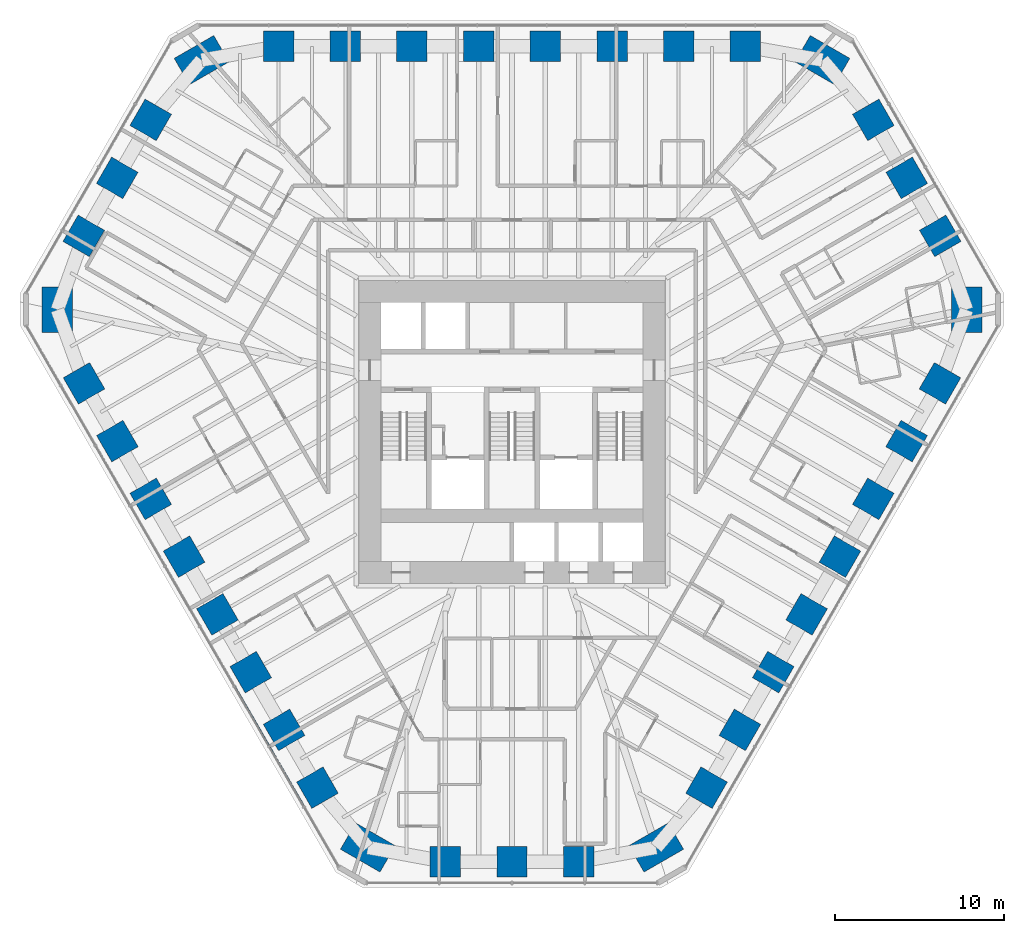
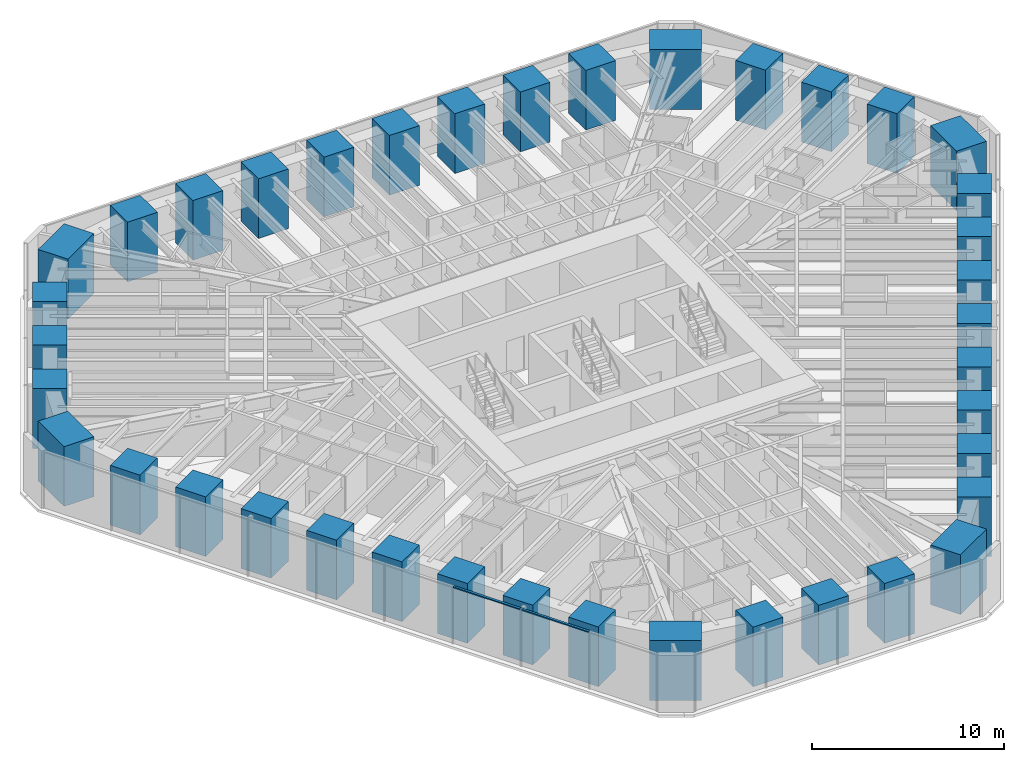
# One storey, part 1 of 17: 39 columns, 2 members, 1 element without a shape of its own.
"""IFC4 building model written with IfcOpenShell, lengths in metres."""

from ifc_helpers import new_model, si_unit, direction, frame, origin, origin_2d, place, context, subcontext, project, spatial, rectangle, extrude, material, material_profile, profile_set, type_object, element, aggregate, save


model = new_model("IFC4")

# Units and contexts
model_context = context("Model", 3, precision=1e-05, world=origin(), true_north=direction((0.0, 1.0)))
body_context = subcontext(model_context, "Body", "Model", "MODEL_VIEW")
ifc_project = project(units=[si_unit("LENGTHUNIT", "METRE"), si_unit("AREAUNIT", "SQUARE_METRE"), si_unit("VOLUMEUNIT", "CUBIC_METRE"), si_unit("PLANEANGLEUNIT", "RADIAN"), si_unit("MASSUNIT", "GRAM", prefix="KILO")], contexts=[model_context])

# Site, building, storey
site_placement = place(None, origin())
site = spatial("IfcSite", under=ifc_project, at=site_placement, CompositionType="ELEMENT")
building_placement = place(site_placement, origin())
building = spatial("IfcBuilding", under=site, at=building_placement, Name="Sandreach Pilgrim Tower", CompositionType="ELEMENT")
storey_placement = place(building_placement, frame((0.0, 0.0, 123.39990234375)))
storey = spatial("IfcBuildingStorey", under=building, at=storey_placement, Name="L30", CompositionType="ELEMENT", Elevation=123.39990234375)

# Columns
ifc_material_1 = material(Name="Concrete 10000 psi", Category="concrete")
ifc_material_profile_1 = material_profile(ifc_material_1, rectangle(XDim=1.800048828125, YDim=1.800048828125, at=origin_2d()), Name="RC1800X1800")
ifc_profile_set_1 = profile_set([ifc_material_profile_1], Name="Concrete 10000 psi")
column_type_1 = type_object("IfcColumnType", Name="Tube column RC1800X1800", PredefinedType="COLUMN", material=ifc_profile_set_1)
for number, where, z_axis, x_axis, name in (
    (1, (-13.789794921875, 21.23388671875, 0.0), (0.0, 0.0, 1.0), (0.0, 1.0, 0.0), "COL L30 T01"),
    (2, (-9.849853515625, 21.23388671875, 0.0), (0.0, 0.0, 1.0), (0.0, 1.0, 0.0), "COL L30 T02"),
    (3, (-5.909912109375, 21.23388671875, 0.0), (0.0, 0.0, 1.0), (0.0, 1.0, 0.0), "COL L30 T03"),
    (4, (-1.969970703125, 21.23388671875, 0.0), (0.0, 0.0, 1.0), (0.0, 1.0, 0.0), "COL L30 T04"),
    (5, (1.969970703125, 21.23388671875, 0.0), (0.0, 0.0, 1.0), (0.0, 1.0, 0.0), "COL L30 T05"),
    (6, (5.909912109375, 21.23388671875, 0.0), (0.0, 0.0, 1.0), (0.0, 1.0, 0.0), "COL L30 T06"),
    (7, (9.849853515625, 21.23388671875, 0.0), (0.0, 0.0, 1.0), (0.0, 1.0, 0.0), "COL L30 T07"),
    (8, (13.789794921875, 21.23388671875, 0.0), (0.0, 0.0, 1.0), (0.0, 1.0, 0.0), "COL L30 T08"),
    (9, (21.346435546875, 16.891357421875, 0.0), (0.0, 0.0, 1.0), (0.866025403784, 0.5, 0.0), "COL L30 T10"),
    (10, (23.323974609375, 13.466064453125, 0.0), (0.0, 0.0, 1.0), (0.866025403784, 0.5, 0.0), "COL L30 T11"),
    (11, (25.301513671875, 10.040771484375, 0.0), (0.0, 0.0, 1.0), (0.866025403784, 0.5, 0.0), "COL L30 T12"),
    (12, (25.283935546875, 1.325439453125, 0.0), (0.0, 0.0, 1.0), (0.866025403784, -0.5, 0.0), "COL L30 T14"),
    (13, (23.31396484375, -2.086669921875, 0.0), (0.0, 0.0, 1.0), (0.866025403784, -0.5, 0.0), "COL L30 T15"),
    (14, (21.343994140625, -5.498779296875, 0.0), (0.0, 0.0, 1.0), (0.866025403784, -0.5, 0.0), "COL L30 T16"),
    (15, (19.3740234375, -8.910888671875, 0.0), (0.0, 0.0, 1.0), (0.866025403784, -0.5, 0.0), "COL L30 T17"),
    (16, (17.404052734375, -12.322998046875, 0.0), (0.0, 0.0, 1.0), (0.866025403784, -0.5, 0.0), "COL L30 T18"),
    (17, (15.43408203125, -15.735107421875, 0.0), (0.0, 0.0, 1.0), (0.866025403784, -0.5, 0.0), "COL L30 T19"),
    (18, (13.464111328125, -19.147216796875, 0.0), (0.0, 0.0, 1.0), (0.866025403784, -0.5, 0.0), "COL L30 T20"),
    (19, (11.494140625, -22.559326171875, 0.0), (0.0, 0.0, 1.0), (0.866025403784, -0.5, 0.0), "COL L30 T21"),
    (20, (3.955322265625, -26.93212890625, 0.0), (0.0, 0.0, 1.0), (0.0, -1.0, 0.0), "COL L30 T23"),
    (21, (0.0, -26.93212890625, 0.0), (0.0, 0.0, 1.0), (0.0, -1.0, 0.0), "COL L30 T24"),
    (22, (-3.955322265625, -26.93212890625, 0.0), (0.0, 0.0, 1.0), (0.0, -1.0, 0.0), "COL L30 T25"),
    (23, (-11.494140625, -22.559326171875, 0.0), (0.0, 0.0, 1.0), (-0.866025403784, -0.5, 0.0), "COL L30 T27"),
    (24, (-13.464111328125, -19.147216796875, 0.0), (0.0, 0.0, 1.0), (-0.866025403784, -0.5, 0.0), "COL L30 T28"),
    (25, (-15.43408203125, -15.735107421875, 0.0), (0.0, 0.0, 1.0), (-0.866025403784, -0.5, 0.0), "COL L30 T29"),
    (26, (-17.404052734375, -12.322998046875, 0.0), (0.0, 0.0, 1.0), (-0.866025403784, -0.5, 0.0), "COL L30 T30"),
    (27, (-19.3740234375, -8.910888671875, 0.0), (0.0, 0.0, 1.0), (-0.866025403784, -0.5, 0.0), "COL L30 T31"),
    (28, (-21.343994140625, -5.498779296875, 0.0), (0.0, 0.0, 1.0), (-0.866025403784, -0.5, 0.0), "COL L30 T32"),
    (29, (-23.31396484375, -2.086669921875, 0.0), (0.0, 0.0, 1.0), (-0.866025403784, -0.5, 0.0), "COL L30 T33"),
    (30, (-25.283935546875, 1.325439453125, 0.0), (0.0, 0.0, 1.0), (-0.866025403784, -0.5, 0.0), "COL L30 T34"),
    (31, (-25.301513671875, 10.040771484375, 0.0), (0.0, 0.0, 1.0), (-0.866025403784, 0.5, 0.0), "COL L30 T36"),
    (32, (-23.323974609375, 13.466064453125, 0.0), (0.0, 0.0, 1.0), (-0.866025403784, 0.5, 0.0), "COL L30 T37"),
    (33, (-21.346435546875, 16.891357421875, 0.0), (0.0, 0.0, 1.0), (-0.866025403784, 0.5, 0.0), "COL L30 T38"),
):
    element("IfcColumn", number, at=place(storey_placement, frame(where, z_axis=z_axis, x_axis=x_axis)), inside=storey, type_object=column_type_1, Name=name, PredefinedType="COLUMN", context=body_context, shape_type="SweptSolid", body=[
        extrude(rectangle(XDim=1.800048828125, YDim=1.800048828125, at=origin_2d()), origin(), (0.0, 0.0, 1.0), 3.800048828125),
    ])
ifc_material_2 = material(Name="Concrete 10000 psi", Category="concrete")
ifc_material_profile_2 = material_profile(ifc_material_2, rectangle(XDim=1.800048828125, YDim=2.699951171875, at=origin_2d()), Name="RC1800X2700")
ifc_profile_set_2 = profile_set([ifc_material_profile_2], Name="Concrete 10000 psi")
column_type_2 = type_object("IfcColumnType", Name="Tube corner pier RC1800X2700", PredefinedType="COLUMN", material=ifc_profile_set_2)
for number, where, z_axis, x_axis, name in (
    (34, (18.33935546875, 20.423828125, 0.0), (0.0, 0.0, 1.0), (0.5, 0.866025403784, 0.0), "COL L30 T09"),
    (35, (26.857177734375, 5.67041015625, 0.0), (0.0, 0.0, 1.0), (1.0, 0.0, 0.0), "COL L30 T13"),
    (36, (8.517822265625, -26.09423828125, 0.0), (0.0, 0.0, 1.0), (0.5, -0.866025403784, 0.0), "COL L30 T22"),
    (37, (-8.517822265625, -26.09423828125, 0.0), (0.0, 0.0, 1.0), (-0.5, -0.866025403784, 0.0), "COL L30 T26"),
    (38, (-26.857177734375, 5.67041015625, 0.0), (0.0, 0.0, 1.0), (-1.0, 0.0, 0.0), "COL L30 T35"),
    (39, (-18.33935546875, 20.423828125, 0.0), (0.0, 0.0, 1.0), (-0.5, 0.866025403784, 0.0), "COL L30 T39"),
):
    element("IfcColumn", number, at=place(storey_placement, frame(where, z_axis=z_axis, x_axis=x_axis)), inside=storey, type_object=column_type_2, Name=name, PredefinedType="COLUMN", context=body_context, shape_type="SweptSolid", body=[
        extrude(rectangle(XDim=1.800048828125, YDim=2.699951171875, at=origin_2d()), origin(), (0.0, 0.0, 1.0), 3.800048828125),
    ])

# Curtain wall, members
ifc_material_3 = material(Name="Aluminium framed curtain wall", Category="aluminium")
curtain_wall_type = type_object("IfcCurtainWallType", Name="Hotel tower curtain wall", PredefinedType="NOTDEFINED", material=ifc_material_3)
curtain_wall_placement = place(storey_placement, origin())
curtain_wall = element("IfcCurtainWall", 40, at=curtain_wall_placement, inside=storey, type_object=curtain_wall_type, Name="CW-2 L30 SW", PredefinedType="NOTDEFINED")
ifc_material_4 = material(Name="Aluminium extrusion", Category="aluminium")
ifc_material_profile_3 = material_profile(ifc_material_4, rectangle(XDim=0.139892578125, YDim=0.070068359375, at=origin_2d()), Name="CW-2T 140X70")
ifc_profile_set_3 = profile_set([ifc_material_profile_3], Name="Aluminium extrusion")
member_type = type_object("IfcMemberType", Name="CW-2 transom", PredefinedType="USERDEFINED", material=ifc_profile_set_3)
member_1_placement = place(storey_placement, frame((-12.309326171875, -23.667236328125, 3.60498046875), z_axis=(-0.500023973715, 0.866011562111, 0.0), x_axis=(-0.866011562111, -0.500023973715, 0.0)))
member_1 = element("IfcMember", 41, at=member_1_placement, type_object=member_type, Name="CW-2 head transom 2", ObjectType="TRANSOM", PredefinedType="USERDEFINED", context=body_context, shape_type="SweptSolid", body=[
    extrude(rectangle(XDim=0.139892578125, YDim=0.070068359375, at=origin_2d()), origin(), (0.0, 0.0, 1.0), 4.041748046875),
])
member_2_placement = place(storey_placement, frame((-14.36279296875, -20.110595703125, 3.60498046875), z_axis=(-0.499997818338, 0.866026663364, 0.0), x_axis=(-0.866026663364, -0.499997818338, 0.0)))
member_2 = element("IfcMember", 42, at=member_2_placement, type_object=member_type, Name="CW-2 head transom 3", ObjectType="TRANSOM", PredefinedType="USERDEFINED", context=body_context, shape_type="SweptSolid", body=[
    extrude(rectangle(XDim=0.139892578125, YDim=0.070068359375, at=origin_2d()), origin(), (0.0, 0.0, 1.0), 4.0419921875),
])
aggregate(curtain_wall, [member_1, member_2])

save(model, "model.ifc")
